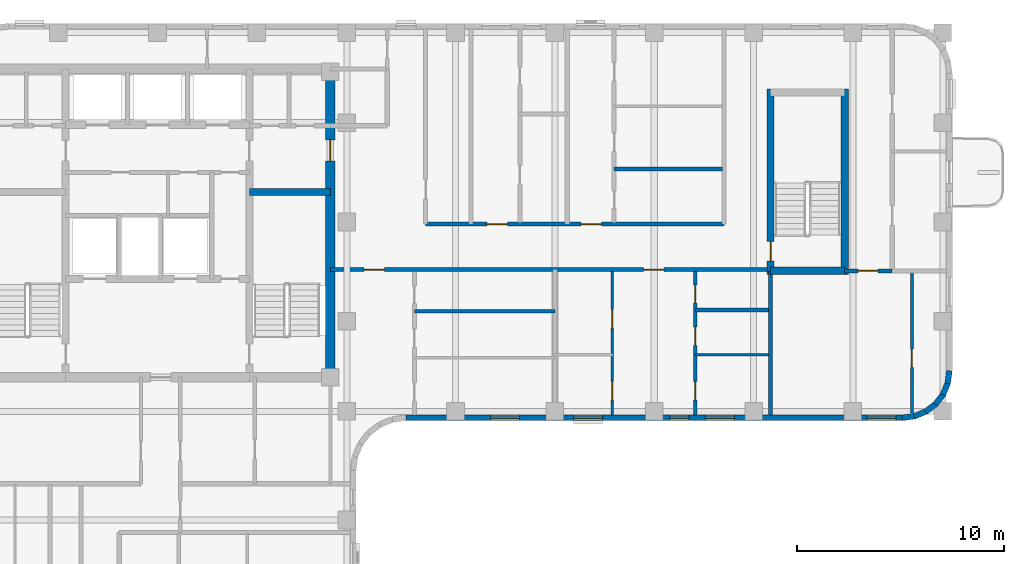
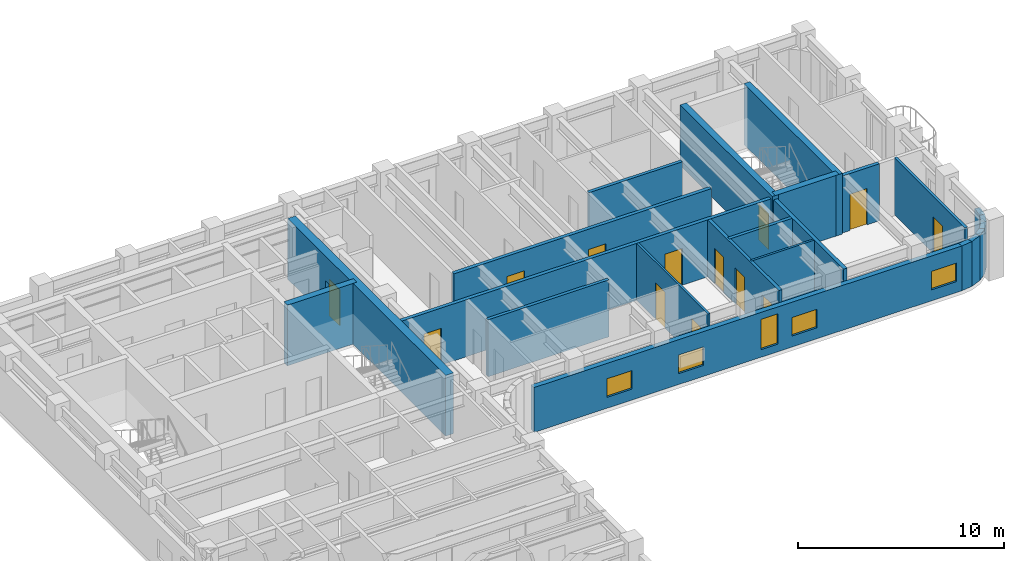
# One storey, part 5 of 10: 23 walls, 13 doors, 5 windows, 18 openings.
"""IFC4 building model written with IfcOpenShell, lengths in metres."""

from ifc_helpers import new_model, si_unit, direction, frame, frame_2d, origin, place, context, subcontext, project, spatial, rectangle, extrude, material, layer, layer_set, type_object, element, fill, save


model = new_model("IFC4")

# Units and contexts
model_context = context("Model", 3, precision=1e-05, world=origin(), true_north=direction((0.0, 1.0)))
body_context = subcontext(model_context, "Body", "Model", "MODEL_VIEW")
ifc_project = project(units=[si_unit("LENGTHUNIT", "METRE"), si_unit("AREAUNIT", "SQUARE_METRE"), si_unit("VOLUMEUNIT", "CUBIC_METRE"), si_unit("PLANEANGLEUNIT", "RADIAN"), si_unit("MASSUNIT", "GRAM", prefix="KILO")], contexts=[model_context])

# Site, building, storey
site_placement = place(None, origin())
site = spatial("IfcSite", under=ifc_project, at=site_placement, CompositionType="ELEMENT")
building_placement = place(site_placement, origin())
building = spatial("IfcBuilding", under=site, at=building_placement, Name="Orvandelia Arch Residences", CompositionType="ELEMENT")
storey_placement = place(building_placement, frame((0.0, 0.0, 218.199951171875)))
storey = spatial("IfcBuildingStorey", under=building, at=storey_placement, Name="L57", CompositionType="ELEMENT", Elevation=218.199951171875)

# Wall
ifc_material_1 = material(Name="Concrete C50/60", Category="concrete")
ifc_layer_1 = layer(ifc_material_1, 0.35009765625, Name="Concrete C50/60", Category="concrete")
ifc_layer_set_1 = layer_set([ifc_layer_1], Name="Concrete C50/60")
wall_type_1 = type_object("IfcWallType", Name="WL-CORE-350", PredefinedType="SHEAR", material=ifc_layer_set_1)
wall_1_placement = place(storey_placement, frame((18.840087890625, 39.85009765625, 0.0), z_axis=(0.0, 0.0, 1.0), x_axis=(1.0, 0.0, 0.0)))
element("IfcWall", 1, at=wall_1_placement, inside=storey, type_object=wall_type_1, Name="Core Shear Wall L57-HZ2", PredefinedType="SHEAR", context=body_context, shape_type="SweptSolid", body=[
    extrude(rectangle(XDim=3.909912109375, YDim=0.35009765625, at=frame_2d((1.955078125, 0.0))), origin(), (0.0, 0.0, 1.0), 3.60009765625),
])

# Wall, opening, door
wall_2_placement = place(storey_placement, frame((44.02001953125, 35.864990234375, 0.0), z_axis=(0.0, 0.0, 1.0), x_axis=(0.0, 1.0, 0.0)))
wall_2 = element("IfcWall", 2, at=wall_2_placement, inside=storey, type_object=wall_type_1, Name="East Stair Core Shear Wall L57-W", PredefinedType="SHEAR", context=body_context, shape_type="SweptSolid", body=[
    extrude(rectangle(XDim=8.969970703125, YDim=0.35009765625, at=frame_2d((4.48486328125, 0.0))), origin(), (0.0, 0.0, 1.0), 3.60009765625),
])
opening_1_placement = place(wall_2_placement, frame((0.64990234375, 0.0, 0.0)))
opening_1 = element("IfcOpeningElement", 3, at=opening_1_placement, cuts=wall_2, Name="Opening D7", PredefinedType="OPENING", context=body_context, shape_type="SweptSolid", body=[
    extrude(rectangle(XDim=0.949951171875, YDim=2.10009765625, at=frame_2d((0.47509765625, 1.050048828125))), frame((0.0, 0.18505859375, 0.0), z_axis=(0.0, -1.0, 0.0), x_axis=(1.0, 0.0, 0.0)), (0.0, 0.0, 1.0), 0.3701171875),
])
ifc_material_2 = material(Name="Pressurised Stairwell Fire Door")
door_type_1 = type_object("IfcDoorType", Name="DR-STAIR-950", OperationType="NOTDEFINED", PredefinedType="DOOR", material=ifc_material_2)
door_1_placement = place(opening_1_placement, origin())
door_1 = element("IfcDoor", 4, at=door_1_placement, inside=storey, type_object=door_type_1, Name="East Stairwell ST-3 Fire Door L57", OperationType="SINGLE_SWING_LEFT", OverallHeight=2.10009765625, OverallWidth=0.949951171875, PredefinedType="DOOR", context=body_context, shape_type="SweptSolid", body=[
    extrude(rectangle(XDim=0.949951171875, YDim=2.10009765625, at=frame_2d((0.47509765625, 1.050048828125))), frame((0.0, 0.02490234375, 0.0), z_axis=(0.0, -1.0, 0.0), x_axis=(1.0, 0.0, 0.0)), (0.0, 0.0, 1.0), 0.050048828125),
])
fill(opening_1, door_1)

# Walls
wall_3_placement = place(storey_placement, frame((47.60009765625, 35.864990234375, 0.0), z_axis=(0.0, 0.0, 1.0), x_axis=(0.0, 1.0, 0.0)))
element("IfcWall", 5, at=wall_3_placement, inside=storey, type_object=wall_type_1, Name="East Stair Core Shear Wall L57-E", PredefinedType="SHEAR", context=body_context, shape_type="SweptSolid", body=[
    extrude(rectangle(XDim=8.969970703125, YDim=0.35009765625, at=frame_2d((4.48486328125, 0.0))), origin(), (0.0, 0.0, 1.0), 3.60009765625),
])
wall_4_placement = place(storey_placement, frame((44.02001953125, 36.0400390625, 0.0), z_axis=(0.0, 0.0, 1.0), x_axis=(1.0, 0.0, 0.0)))
element("IfcWall", 6, at=wall_4_placement, inside=storey, type_object=wall_type_1, Name="East Stair Core Shear Wall L57-S", PredefinedType="SHEAR", context=body_context, shape_type="SweptSolid", body=[
    extrude(rectangle(XDim=3.580078125, YDim=0.35009765625, at=frame_2d((1.7900390625, 0.0))), origin(), (0.0, 0.0, 1.0), 3.60009765625),
])

# Wall, opening, door
ifc_layer_2 = layer(ifc_material_1, 0.449951171875, Name="Concrete C50/60", Category="concrete")
ifc_layer_set_2 = layer_set([ifc_layer_2], Name="Concrete C50/60")
wall_type_2 = type_object("IfcWallType", Name="WL-CORE-450", PredefinedType="SHEAR", material=ifc_layer_set_2)
wall_5_placement = place(storey_placement, frame((22.75, 30.675048828125, 0.0), z_axis=(0.0, 0.0, 1.0), x_axis=(0.0, 1.0, 0.0)))
wall_5 = element("IfcWall", 7, at=wall_5_placement, inside=storey, type_object=wall_type_2, Name="Core Shear Wall L57-E", PredefinedType="SHEAR", context=body_context, shape_type="SweptSolid", body=[
    extrude(rectangle(XDim=15.349853515625, YDim=0.449951171875, at=frame_2d((7.6748046875, 0.0))), origin(), (0.0, 0.0, 1.0), 3.60009765625),
])
opening_2_placement = place(wall_5_placement, frame((10.675048828125, 0.0, 0.0)))
opening_2 = element("IfcOpeningElement", 8, at=opening_2_placement, cuts=wall_5, Name="Opening D6", PredefinedType="OPENING", context=body_context, shape_type="SweptSolid", body=[
    extrude(rectangle(XDim=1.0, YDim=2.14990234375, at=frame_2d((0.5, 1.074951171875))), frame((0.0, 0.23486328125, 0.0), z_axis=(0.0, -1.0, 0.0), x_axis=(1.0, 0.0, 0.0)), (0.0, 0.0, 1.0), 0.469970703125),
])
ifc_material_3 = material(Name="Smokeproof Painted Steel Fire Door", Category="steel")
door_type_2 = type_object("IfcDoorType", Name="DR-FD60-1000", OperationType="NOTDEFINED", PredefinedType="DOOR", material=ifc_material_3)
door_2_placement = place(opening_2_placement, origin())
door_2 = element("IfcDoor", 9, at=door_2_placement, inside=storey, type_object=door_type_2, Name="Core East Corridor Link Door L57", OperationType="SINGLE_SWING_LEFT", OverallHeight=2.14990234375, OverallWidth=1.0, PredefinedType="DOOR", context=body_context, shape_type="SweptSolid", body=[
    extrude(rectangle(XDim=1.0, YDim=2.14990234375, at=frame_2d((0.5, 1.074951171875))), frame((0.0, 0.02490234375, 0.0), z_axis=(0.0, -1.0, 0.0), x_axis=(1.0, 0.0, 0.0)), (0.0, 0.0, 1.0), 0.050048828125),
])
fill(opening_2, door_2)

# Wall, openings, doors
ifc_material_4 = material(Name="Fire-Rated Corridor Partition")
ifc_layer_3 = layer(ifc_material_4, 0.199951171875, Name="Fire-Rated Corridor Partition")
ifc_layer_set_3 = layer_set([ifc_layer_3], Name="Fire-Rated Corridor Partition")
wall_type_3 = type_object("IfcWallType", Name="WL-CORR-200", PredefinedType="PARTITIONING", material=ifc_layer_set_3)
wall_6_placement = place(storey_placement, frame((22.75, 36.10009765625, 0.0), z_axis=(0.0, 0.0, 1.0), x_axis=(1.0, 0.0, 0.0)))
wall_6 = element("IfcWall", 10, at=wall_6_placement, inside=storey, type_object=wall_type_3, Name="Interior Partition Wall WL-L57-EM-S1", PredefinedType="PARTITIONING", context=body_context, shape_type="SweptSolid", body=[
    extrude(rectangle(XDim=21.27001953125, YDim=0.199951171875, at=frame_2d((10.635009765625, 0.0))), origin(), (0.0, 0.0, 1.0), 3.380126953125),
])
opening_3_placement = place(wall_6_placement, frame((1.631591796875, 0.0, 0.0)))
opening_3 = element("IfcOpeningElement", 11, at=opening_3_placement, cuts=wall_6, Name="Opening D1", PredefinedType="OPENING", context=body_context, shape_type="SweptSolid", body=[
    extrude(rectangle(XDim=0.97998046875, YDim=2.179931640625, at=frame_2d((0.489990234375, 1.08984375))), frame((0.0, 0.10986328125, 0.0), z_axis=(0.0, -1.0, 0.0), x_axis=(1.0, 0.0, 0.0)), (0.0, 0.0, 1.0), 0.219970703125),
])
opening_4_placement = place(wall_6_placement, frame((15.140380859375, 0.0, 0.0)))
opening_4 = element("IfcOpeningElement", 12, at=opening_4_placement, cuts=wall_6, Name="Opening D1", PredefinedType="OPENING", context=body_context, shape_type="SweptSolid", body=[
    extrude(rectangle(XDim=0.97998046875, YDim=2.179931640625, at=frame_2d((0.489990234375, 1.08984375))), frame((0.0, 0.10986328125, 0.0), z_axis=(0.0, -1.0, 0.0), x_axis=(1.0, 0.0, 0.0)), (0.0, 0.0, 1.0), 0.219970703125),
])
ifc_material_5 = material(Name="Solid-Core Timber Acoustic Fire Door", Category="wood")
door_type_3 = type_object("IfcDoorType", Name="DR-ENT-980", OperationType="NOTDEFINED", PredefinedType="DOOR", material=ifc_material_5)
door_3_placement = place(opening_3_placement, origin())
door_3 = element("IfcDoor", 13, at=door_3_placement, inside=storey, type_object=door_type_3, Name="Unit L57-05 Entrance Door", OperationType="SINGLE_SWING_LEFT", OverallHeight=2.179931640625, OverallWidth=0.97998046875, PredefinedType="DOOR", context=body_context, shape_type="SweptSolid", body=[
    extrude(rectangle(XDim=0.97998046875, YDim=2.179931640625, at=frame_2d((0.489990234375, 1.08984375))), frame((0.0, 0.02490234375, 0.0), z_axis=(0.0, -1.0, 0.0), x_axis=(1.0, 0.0, 0.0)), (0.0, 0.0, 1.0), 0.050048828125),
])
fill(opening_3, door_3)
door_4_placement = place(opening_4_placement, origin())
door_4 = element("IfcDoor", 14, at=door_4_placement, inside=storey, type_object=door_type_3, Name="Unit L57-06 Entrance Door", OperationType="SINGLE_SWING_RIGHT", OverallHeight=2.179931640625, OverallWidth=0.97998046875, PredefinedType="DOOR", context=body_context, shape_type="SweptSolid", body=[
    extrude(rectangle(XDim=0.97998046875, YDim=2.179931640625, at=frame_2d((0.489990234375, 1.08984375))), frame((0.0, 0.02490234375, 0.0), z_axis=(0.0, -1.0, 0.0), x_axis=(1.0, 0.0, 0.0)), (0.0, 0.0, 1.0), 0.050048828125),
])
fill(opening_4, door_4)

wall_7_placement = place(storey_placement, frame((27.35009765625, 38.300048828125, 0.0), z_axis=(0.0, 0.0, 1.0), x_axis=(1.0, 0.0, 0.0)))
wall_7 = element("IfcWall", 15, at=wall_7_placement, inside=storey, type_object=wall_type_3, Name="Interior Partition Wall WL-L57-EM-N", PredefinedType="PARTITIONING", context=body_context, shape_type="SweptSolid", body=[
    extrude(rectangle(XDim=14.429931640625, YDim=0.199951171875, at=frame_2d((7.21484375, 0.0))), origin(), (0.0, 0.0, 1.0), 3.380126953125),
])
opening_5_placement = place(wall_7_placement, frame((2.969970703125, 0.0, 0.0)))
opening_5 = element("IfcOpeningElement", 16, at=opening_5_placement, cuts=wall_7, Name="Opening D1", PredefinedType="OPENING", context=body_context, shape_type="SweptSolid", body=[
    extrude(rectangle(XDim=0.97998046875, YDim=2.179931640625, at=frame_2d((0.489990234375, 1.08984375))), frame((0.0, 0.10986328125, 0.0), z_axis=(0.0, -1.0, 0.0), x_axis=(1.0, 0.0, 0.0)), (0.0, 0.0, 1.0), 0.219970703125),
])
opening_6_placement = place(wall_7_placement, frame((7.52001953125, 0.0, 0.0)))
opening_6 = element("IfcOpeningElement", 17, at=opening_6_placement, cuts=wall_7, Name="Opening D1", PredefinedType="OPENING", context=body_context, shape_type="SweptSolid", body=[
    extrude(rectangle(XDim=0.97998046875, YDim=2.179931640625, at=frame_2d((0.489990234375, 1.08984375))), frame((0.0, 0.10986328125, 0.0), z_axis=(0.0, -1.0, 0.0), x_axis=(1.0, 0.0, 0.0)), (0.0, 0.0, 1.0), 0.219970703125),
])
door_5_placement = place(opening_5_placement, origin())
door_5 = element("IfcDoor", 18, at=door_5_placement, inside=storey, type_object=door_type_3, Name="Unit L57-07 Entrance Door", OperationType="SINGLE_SWING_LEFT", OverallHeight=2.179931640625, OverallWidth=0.97998046875, PredefinedType="DOOR", context=body_context, shape_type="SweptSolid", body=[
    extrude(rectangle(XDim=0.97998046875, YDim=2.179931640625, at=frame_2d((0.489990234375, 1.08984375))), frame((0.0, 0.02490234375, 0.0), z_axis=(0.0, -1.0, 0.0), x_axis=(1.0, 0.0, 0.0)), (0.0, 0.0, 1.0), 0.050048828125),
])
fill(opening_5, door_5)
door_6_placement = place(opening_6_placement, origin())
door_6 = element("IfcDoor", 19, at=door_6_placement, inside=storey, type_object=door_type_3, Name="Unit L57-08 Entrance Door", OperationType="SINGLE_SWING_RIGHT", OverallHeight=2.179931640625, OverallWidth=0.97998046875, PredefinedType="DOOR", context=body_context, shape_type="SweptSolid", body=[
    extrude(rectangle(XDim=0.97998046875, YDim=2.179931640625, at=frame_2d((0.489990234375, 1.08984375))), frame((0.0, 0.02490234375, 0.0), z_axis=(0.0, -1.0, 0.0), x_axis=(1.0, 0.0, 0.0)), (0.0, 0.0, 1.0), 0.050048828125),
])
fill(opening_6, door_6)

# Wall, opening, door
wall_8_placement = place(storey_placement, frame((47.60009765625, 36.0400390625, 0.0), z_axis=(0.0, 0.0, 1.0), x_axis=(1.0, 0.0, 0.0)))
wall_8 = element("IfcWall", 20, at=wall_8_placement, inside=storey, type_object=wall_type_3, Name="Interior Partition Wall WL-L57-ETE-S", PredefinedType="PARTITIONING", context=body_context, shape_type="SweptSolid", body=[
    extrude(rectangle(XDim=2.2998046875, YDim=0.199951171875, at=frame_2d((1.14990234375, 0.0))), origin(), (0.0, 0.0, 1.0), 3.380126953125),
])
opening_7_placement = place(wall_8_placement, frame((0.64990234375, 0.0, 0.0)))
opening_7 = element("IfcOpeningElement", 21, at=opening_7_placement, cuts=wall_8, Name="Opening D2", PredefinedType="OPENING", context=body_context, shape_type="SweptSolid", body=[
    extrude(rectangle(XDim=0.949951171875, YDim=2.14990234375, at=frame_2d((0.47509765625, 1.074951171875))), frame((0.0, 0.10986328125, 0.0), z_axis=(0.0, -1.0, 0.0), x_axis=(1.0, 0.0, 0.0)), (0.0, 0.0, 1.0), 0.219970703125),
])
ifc_material_6 = material(Name="Solid-Core Timber Interior Fire Door", Category="wood")
door_type_4 = type_object("IfcDoorType", Name="DR-APT-950", OperationType="NOTDEFINED", PredefinedType="DOOR", material=ifc_material_6)
door_7_placement = place(opening_7_placement, origin())
door_7 = element("IfcDoor", 22, at=door_7_placement, inside=storey, type_object=door_type_4, Name="DR-L57-EMS3", OperationType="SINGLE_SWING_LEFT", OverallHeight=2.14990234375, OverallWidth=0.949951171875, PredefinedType="DOOR", context=body_context, shape_type="SweptSolid", body=[
    extrude(rectangle(XDim=0.949951171875, YDim=2.14990234375, at=frame_2d((0.47509765625, 1.074951171875))), frame((0.0, 0.02490234375, 0.0), z_axis=(0.0, -1.0, 0.0), x_axis=(1.0, 0.0, 0.0)), (0.0, 0.0, 1.0), 0.050048828125),
])
fill(opening_7, door_7)

# Walls
ifc_material_7 = material(Name="Concrete C40/50", Category="concrete")
ifc_layer_4 = layer(ifc_material_7, 0.199951171875, Name="Concrete C40/50", Category="concrete")
ifc_layer_set_4 = layer_set([ifc_layer_4], Name="Concrete C40/50")
wall_type_4 = type_object("IfcWallType", Name="WL-DEM-200", PredefinedType="SOLIDWALL", material=ifc_layer_set_4)
wall_9_placement = place(storey_placement, frame((44.02001953125, 29.080078125, 0.0), z_axis=(0.0, 0.0, 1.0), x_axis=(0.0, 1.0, 0.0)))
element("IfcWall", 23, at=wall_9_placement, inside=storey, type_object=wall_type_4, Name="Interior Partition Wall WL-L57-EMS3-W", PredefinedType="SOLIDWALL", context=body_context, shape_type="SweptSolid", body=[
    extrude(rectangle(XDim=6.9599609375, YDim=0.199951171875, at=frame_2d((3.47998046875, 0.0))), origin(), (0.0, 0.0, 1.0), 3.380126953125),
])
ifc_material_8 = material(Name="Precast concrete C40/50", Category="concrete")
ifc_layer_5 = layer(ifc_material_8, 0.280029296875, Name="Precast concrete C40/50", Category="concrete")
ifc_layer_set_5 = layer_set([ifc_layer_5], Name="Precast concrete C40/50")
wall_type_5 = type_object("IfcWallType", Name="WL-EXT-STONE-280", PredefinedType="STANDARD", material=ifc_layer_set_5)
wall_10_placement = place(storey_placement, frame((52.6611328125, 31.21826171875, 0.0), z_axis=(0.0, 0.0, 1.0), x_axis=(-0.130555323746, -0.9914410257, 0.0)))
element("IfcWall", 24, at=wall_10_placement, inside=storey, type_object=wall_type_5, Name="Coral-Limestone Precast Facade Wall L57-015", PredefinedType="STANDARD", context=body_context, shape_type="SweptSolid", body=[
    extrude(rectangle(XDim=0.62646484375, YDim=0.280029296875, at=frame_2d((0.313232421875, 0.0))), origin(), (0.0, 0.0, 1.0), 2.66015625),
])
wall_11_placement = place(storey_placement, frame((52.5888671875, 30.63232421875, 0.0), z_axis=(0.0, 0.0, 1.0), x_axis=(-0.382787856107, -0.923836271867, 0.0)))
element("IfcWall", 25, at=wall_11_placement, inside=storey, type_object=wall_type_5, Name="Coral-Limestone Precast Facade Wall L57-016", PredefinedType="STANDARD", context=body_context, shape_type="SweptSolid", body=[
    extrude(rectangle(XDim=0.626220703125, YDim=0.280029296875, at=frame_2d((0.31298828125, 0.0))), origin(), (0.0, 0.0, 1.0), 2.66015625),
])
for number, where, z_axis, x_axis, name in (
    (26, (52.367431640625, 30.085205078125, 0.0), (0.0, 0.0, 1.0), (-0.608693302629, -0.793405610854, 0.0), "Coral-Limestone Precast Facade Wall L57-017"),
    (27, (52.011962890625, 29.614013671875, 0.0), (0.0, 0.0, 1.0), (-0.793405610854, -0.608693302629, 0.0), "Coral-Limestone Precast Facade Wall L57-018"),
    (28, (51.54638671875, 29.250732421875, 0.0), (0.0, 0.0, 1.0), (-0.92389335771, -0.382650053678, 0.0), "Coral-Limestone Precast Facade Wall L57-019"),
):
    element("IfcWall", number, at=place(storey_placement, frame(where, z_axis=z_axis, x_axis=x_axis)), inside=storey, type_object=wall_type_5, Name=name, PredefinedType="STANDARD", context=body_context, shape_type="SweptSolid", body=[
        extrude(rectangle(XDim=0.62646484375, YDim=0.280029296875, at=frame_2d((0.313232421875, 0.0))), origin(), (0.0, 0.0, 1.0), 2.66015625),
    ])
wall_12_placement = place(storey_placement, frame((51.0029296875, 29.0205078125, 0.0), z_axis=(0.0, 0.0, 1.0), x_axis=(-0.991447664465, -0.130504898859, 0.0)))
element("IfcWall", 29, at=wall_12_placement, inside=storey, type_object=wall_type_5, Name="Coral-Limestone Precast Facade Wall L57-020", PredefinedType="STANDARD", context=body_context, shape_type="SweptSolid", body=[
    extrude(rectangle(XDim=0.626708984375, YDim=0.280029296875, at=frame_2d((0.3134765625, 0.0))), origin(), (0.0, 0.0, 1.0), 2.66015625),
])

# Wall, openings, windows
wall_13_placement = place(storey_placement, frame((50.39990234375, 28.93994140625, 0.0), z_axis=(0.0, 0.0, 1.0), x_axis=(-1.0, 0.0, 0.0)))
wall_13 = element("IfcWall", 30, at=wall_13_placement, inside=storey, type_object=wall_type_5, Name="Coral-Limestone Precast Facade Wall L57-021", PredefinedType="STANDARD", context=body_context, shape_type="SweptSolid", body=[
    extrude(rectangle(XDim=24.0, YDim=0.280029296875, at=frame_2d((12.0, 0.0))), origin(), (0.0, 0.0, 1.0), 2.66015625),
])
opening_8_placement = place(wall_13_placement, frame((18.5, 0.0, 0.64990234375)))
opening_8 = element("IfcOpeningElement", 31, at=opening_8_placement, cuts=wall_13, Name="Opening W10", PredefinedType="OPENING", context=body_context, shape_type="SweptSolid", body=[
    extrude(rectangle(XDim=1.39990234375, YDim=1.10009765625, at=frame_2d((0.699951171875, 0.550048828125))), frame((0.0, 0.14990234375, 0.0), z_axis=(0.0, -1.0, 0.0), x_axis=(1.0, 0.0, 0.0)), (0.0, 0.0, 1.0), 0.300048828125),
])
opening_9_placement = place(wall_13_placement, frame((8.12939453125, 0.0, 0.64990234375)))
opening_9 = element("IfcOpeningElement", 32, at=opening_9_placement, cuts=wall_13, Name="Opening W10", PredefinedType="OPENING", context=body_context, shape_type="SweptSolid", body=[
    extrude(rectangle(XDim=1.39990234375, YDim=1.10009765625, at=frame_2d((0.699951171875, 0.550048828125))), frame((0.0, 0.14990234375, 0.0), z_axis=(0.0, -1.0, 0.0), x_axis=(1.0, 0.0, 0.0)), (0.0, 0.0, 1.0), 0.300048828125),
])
opening_10_placement = place(wall_13_placement, frame((14.489990234375, 0.0, 0.64990234375)))
opening_10 = element("IfcOpeningElement", 33, at=opening_10_placement, cuts=wall_13, Name="Opening W10", PredefinedType="OPENING", context=body_context, shape_type="SweptSolid", body=[
    extrude(rectangle(XDim=1.39990234375, YDim=1.10009765625, at=frame_2d((0.699951171875, 0.550048828125))), frame((0.0, 0.14990234375, 0.0), z_axis=(0.0, -1.0, 0.0), x_axis=(1.0, 0.0, 0.0)), (0.0, 0.0, 1.0), 0.300048828125),
])
opening_11_placement = place(wall_13_placement, frame((0.3076171875, 0.0, 0.64990234375)))
opening_11 = element("IfcOpeningElement", 34, at=opening_11_placement, cuts=wall_13, Name="Opening W10", PredefinedType="OPENING", context=body_context, shape_type="SweptSolid", body=[
    extrude(rectangle(XDim=1.39990234375, YDim=1.10009765625, at=frame_2d((0.699951171875, 0.550048828125))), frame((0.0, 0.14990234375, 0.0), z_axis=(0.0, -1.0, 0.0), x_axis=(1.0, 0.0, 0.0)), (0.0, 0.0, 1.0), 0.300048828125),
])
opening_12_placement = place(wall_13_placement, frame((10.3095703125, 0.0, 0.449951171875)))
opening_12 = element("IfcOpeningElement", 35, at=opening_12_placement, cuts=wall_13, Name="Opening W4", PredefinedType="OPENING", context=body_context, shape_type="SweptSolid", body=[
    extrude(rectangle(XDim=0.949951171875, YDim=1.800048828125, at=frame_2d((0.47509765625, 0.89990234375))), frame((0.0, 0.14990234375, 0.0), z_axis=(0.0, -1.0, 0.0), x_axis=(1.0, 0.0, 0.0)), (0.0, 0.0, 1.0), 0.300048828125),
])
ifc_material_9 = material(Name="Tempered Low-E Insulated Glazing", Category="glass")
window_type_1 = type_object("IfcWindowType", Name="WIN-CLR-1400x1100", PartitioningType="SINGLE_PANEL", PredefinedType="WINDOW", material=ifc_material_9)
window_1_placement = place(opening_8_placement, origin())
window_1 = element("IfcWindow", 36, at=window_1_placement, inside=storey, type_object=window_type_1, Name="Recessed Punched Window L57-013", OverallHeight=1.10009765625, OverallWidth=1.39990234375, PartitioningType="SINGLE_PANEL", PredefinedType="WINDOW", context=body_context, shape_type="SweptSolid", body=[
    extrude(rectangle(XDim=1.39990234375, YDim=1.10009765625, at=frame_2d((0.699951171875, 0.550048828125))), frame((0.0, 0.030029296875, 0.0), z_axis=(0.0, -1.0, 0.0), x_axis=(1.0, 0.0, 0.0)), (0.0, 0.0, 1.0), 0.06005859375),
])
fill(opening_8, window_1)
window_2_placement = place(opening_9_placement, origin())
window_2 = element("IfcWindow", 37, at=window_2_placement, inside=storey, type_object=window_type_1, Name="Recessed Punched Window L57-014", OverallHeight=1.10009765625, OverallWidth=1.39990234375, PartitioningType="SINGLE_PANEL", PredefinedType="WINDOW", context=body_context, shape_type="SweptSolid", body=[
    extrude(rectangle(XDim=1.39990234375, YDim=1.10009765625, at=frame_2d((0.699951171875, 0.550048828125))), frame((0.0, 0.030029296875, 0.0), z_axis=(0.0, -1.0, 0.0), x_axis=(1.0, 0.0, 0.0)), (0.0, 0.0, 1.0), 0.06005859375),
])
fill(opening_9, window_2)
window_3_placement = place(opening_10_placement, origin())
window_3 = element("IfcWindow", 38, at=window_3_placement, inside=storey, type_object=window_type_1, Name="Recessed Punched Window L57-015", OverallHeight=1.10009765625, OverallWidth=1.39990234375, PartitioningType="SINGLE_PANEL", PredefinedType="WINDOW", context=body_context, shape_type="SweptSolid", body=[
    extrude(rectangle(XDim=1.39990234375, YDim=1.10009765625, at=frame_2d((0.699951171875, 0.550048828125))), frame((0.0, 0.030029296875, 0.0), z_axis=(0.0, -1.0, 0.0), x_axis=(1.0, 0.0, 0.0)), (0.0, 0.0, 1.0), 0.06005859375),
])
fill(opening_10, window_3)
window_4_placement = place(opening_11_placement, origin())
window_4 = element("IfcWindow", 39, at=window_4_placement, inside=storey, type_object=window_type_1, Name="Recessed Punched Window L57-016", OverallHeight=1.10009765625, OverallWidth=1.39990234375, PartitioningType="SINGLE_PANEL", PredefinedType="WINDOW", context=body_context, shape_type="SweptSolid", body=[
    extrude(rectangle(XDim=1.39990234375, YDim=1.10009765625, at=frame_2d((0.699951171875, 0.550048828125))), frame((0.0, 0.030029296875, 0.0), z_axis=(0.0, -1.0, 0.0), x_axis=(1.0, 0.0, 0.0)), (0.0, 0.0, 1.0), 0.06005859375),
])
fill(opening_11, window_4)
window_type_2 = type_object("IfcWindowType", Name="WIN-RES-0950x1800", PartitioningType="SINGLE_PANEL", PredefinedType="WINDOW", material=ifc_material_9)
window_5_placement = place(opening_12_placement, origin())
window_5 = element("IfcWindow", 40, at=window_5_placement, inside=storey, type_object=window_type_2, Name="Recessed Punched Window L57-017", OverallHeight=1.800048828125, OverallWidth=0.949951171875, PartitioningType="SINGLE_PANEL", PredefinedType="WINDOW", context=body_context, shape_type="SweptSolid", body=[
    extrude(rectangle(XDim=0.949951171875, YDim=1.800048828125, at=frame_2d((0.47509765625, 0.89990234375))), frame((0.0, 0.030029296875, 0.0), z_axis=(0.0, -1.0, 0.0), x_axis=(1.0, 0.0, 0.0)), (0.0, 0.0, 1.0), 0.06005859375),
])
fill(opening_12, window_5)

# Wall, openings, doors
ifc_material_10 = material(Name="Lightweight Gypsum Stud Partition")
ifc_layer_6 = layer(ifc_material_10, 0.1201171875, Name="Lightweight Gypsum Stud Partition")
ifc_layer_set_6 = layer_set([ifc_layer_6], Name="Lightweight Gypsum Stud Partition")
wall_type_6 = type_object("IfcWallType", Name="WL-PART-120", PredefinedType="PARTITIONING", material=ifc_layer_set_6)
wall_14_placement = place(storey_placement, frame((36.375, 29.080078125, 0.0), z_axis=(0.0, 0.0, 1.0), x_axis=(0.0, 1.0, 0.0)))
wall_14 = element("IfcWall", 41, at=wall_14_placement, inside=storey, type_object=wall_type_6, Name="Interior Partition Wall WL-L57-U06-VB", PredefinedType="PARTITIONING", context=body_context, shape_type="SweptSolid", body=[
    extrude(rectangle(XDim=6.919921875, YDim=0.1201171875, at=frame_2d((3.4599609375, 0.0))), origin(), (0.0, 0.0, 1.0), 3.380126953125),
])
opening_13_placement = place(wall_14_placement, frame((0.71923828125, 0.0, 0.0)))
opening_13 = element("IfcOpeningElement", 42, at=opening_13_placement, cuts=wall_14, Name="Opening D3", PredefinedType="OPENING", context=body_context, shape_type="SweptSolid", body=[
    extrude(rectangle(XDim=0.89990234375, YDim=2.14990234375, at=frame_2d((0.449951171875, 1.074951171875))), frame((0.0, 0.070068359375, 0.0), z_axis=(0.0, -1.0, 0.0), x_axis=(1.0, 0.0, 0.0)), (0.0, 0.0, 1.0), 0.14013671875),
])
opening_14_placement = place(wall_14_placement, frame((4.188720703125, 0.0, 0.0)))
opening_14 = element("IfcOpeningElement", 43, at=opening_14_placement, cuts=wall_14, Name="Opening D3", PredefinedType="OPENING", context=body_context, shape_type="SweptSolid", body=[
    extrude(rectangle(XDim=0.89990234375, YDim=2.14990234375, at=frame_2d((0.449951171875, 1.074951171875))), frame((0.0, 0.070068359375, 0.0), z_axis=(0.0, -1.0, 0.0), x_axis=(1.0, 0.0, 0.0)), (0.0, 0.0, 1.0), 0.14013671875),
])
ifc_material_11 = material(Name="Engineered Timber Flush Door", Category="wood")
door_type_5 = type_object("IfcDoorType", Name="DR-INT-900", OperationType="NOTDEFINED", PredefinedType="DOOR", material=ifc_material_11)
door_8_placement = place(opening_13_placement, origin())
door_8 = element("IfcDoor", 44, at=door_8_placement, inside=storey, type_object=door_type_5, Name="DR-L57-U06-BD2", OperationType="SINGLE_SWING_LEFT", OverallHeight=2.14990234375, OverallWidth=0.89990234375, PredefinedType="DOOR", context=body_context, shape_type="SweptSolid", body=[
    extrude(rectangle(XDim=0.89990234375, YDim=2.14990234375, at=frame_2d((0.449951171875, 1.074951171875))), frame((0.0, 0.02490234375, 0.0), z_axis=(0.0, -1.0, 0.0), x_axis=(1.0, 0.0, 0.0)), (0.0, 0.0, 1.0), 0.050048828125),
])
fill(opening_13, door_8)
door_9_placement = place(opening_14_placement, origin())
door_9 = element("IfcDoor", 45, at=door_9_placement, inside=storey, type_object=door_type_5, Name="DR-L57-U06-STDY", OperationType="SINGLE_SWING_RIGHT", OverallHeight=2.14990234375, OverallWidth=0.89990234375, PredefinedType="DOOR", context=body_context, shape_type="SweptSolid", body=[
    extrude(rectangle(XDim=0.89990234375, YDim=2.14990234375, at=frame_2d((0.449951171875, 1.074951171875))), frame((0.0, 0.02490234375, 0.0), z_axis=(0.0, -1.0, 0.0), x_axis=(1.0, 0.0, 0.0)), (0.0, 0.0, 1.0), 0.050048828125),
])
fill(opening_14, door_9)

# Wall
wall_15_placement = place(storey_placement, frame((40.385986328125, 31.97509765625, 0.0), z_axis=(0.0, 0.0, 1.0), x_axis=(1.0, 0.0, 0.0)))
element("IfcWall", 46, at=wall_15_placement, inside=storey, type_object=wall_type_6, Name="Interior Partition Wall WL-L57-U06-H1", PredefinedType="PARTITIONING", context=body_context, shape_type="SweptSolid", body=[
    extrude(rectangle(XDim=3.533935546875, YDim=0.1201171875, at=frame_2d((1.76708984375, 0.0))), origin(), (0.0, 0.0, 1.0), 3.380126953125),
])

# Wall, opening, door
ifc_material_12 = material(Name="Acoustic Gypsum Stud Partition")
ifc_layer_7 = layer(ifc_material_12, 0.14990234375, Name="Acoustic Gypsum Stud Partition")
ifc_layer_set_7 = layer_set([ifc_layer_7], Name="Acoustic Gypsum Stud Partition")
wall_type_7 = type_object("IfcWallType", Name="WL-PART-150", PredefinedType="PARTITIONING", material=ifc_layer_set_7)
wall_16_placement = place(storey_placement, frame((50.85009765625, 29.159912109375, 0.0), z_axis=(0.0, 0.0, 1.0), x_axis=(0.0, 1.0, 0.0)))
wall_16 = element("IfcWall", 47, at=wall_16_placement, inside=storey, type_object=wall_type_7, Name="Interior Partition Wall WL-L57-EMS3-M", PredefinedType="PARTITIONING", context=body_context, shape_type="SweptSolid", body=[
    extrude(rectangle(XDim=6.880126953125, YDim=0.14990234375, at=frame_2d((3.43994140625, 0.0))), origin(), (0.0, 0.0, 1.0), 3.380126953125),
])
opening_15_placement = place(wall_16_placement, frame((2.199951171875, 0.0, 0.0)))
opening_15 = element("IfcOpeningElement", 48, at=opening_15_placement, cuts=wall_16, Name="Opening D3", PredefinedType="OPENING", context=body_context, shape_type="SweptSolid", body=[
    extrude(rectangle(XDim=0.89990234375, YDim=2.14990234375, at=frame_2d((0.449951171875, 1.074951171875))), frame((0.0, 0.0849609375, 0.0), z_axis=(0.0, -1.0, 0.0), x_axis=(1.0, 0.0, 0.0)), (0.0, 0.0, 1.0), 0.169921875),
])
door_10_placement = place(opening_15_placement, origin())
door_10 = element("IfcDoor", 49, at=door_10_placement, inside=storey, type_object=door_type_5, Name="DR-L57-EMS3M", OperationType="SINGLE_SWING_RIGHT", OverallHeight=2.14990234375, OverallWidth=0.89990234375, PredefinedType="DOOR", context=body_context, shape_type="SweptSolid", body=[
    extrude(rectangle(XDim=0.89990234375, YDim=2.14990234375, at=frame_2d((0.449951171875, 1.074951171875))), frame((0.0, 0.02490234375, 0.0), z_axis=(0.0, -1.0, 0.0), x_axis=(1.0, 0.0, 0.0)), (0.0, 0.0, 1.0), 0.050048828125),
])
fill(opening_15, door_10)

# Wall
ifc_material_13 = material(Name="Moisture-Resistant Plumbing Wall")
ifc_layer_8 = layer(ifc_material_13, 0.179931640625, Name="Moisture-Resistant Plumbing Wall")
ifc_layer_set_8 = layer_set([ifc_layer_8], Name="Moisture-Resistant Plumbing Wall")
wall_type_8 = type_object("IfcWallType", Name="WL-WET-180", PredefinedType="PLUMBINGWALL", material=ifc_layer_set_8)
wall_17_placement = place(storey_placement, frame((26.81298828125, 34.0849609375, 0.0), z_axis=(0.0, 0.0, 1.0), x_axis=(1.0, 0.0, 0.0)))
element("IfcWall", 50, at=wall_17_placement, inside=storey, type_object=wall_type_8, Name="Interior Partition Wall WL-L57-U05-H2", PredefinedType="PLUMBINGWALL", context=body_context, shape_type="SweptSolid", body=[
    extrude(rectangle(XDim=6.787109375, YDim=0.179931640625, at=frame_2d((3.3935546875, 0.0))), origin(), (0.0, 0.0, 1.0), 3.380126953125),
])

# Wall, openings, doors
wall_18_placement = place(storey_placement, frame((40.385986328125, 29.080078125, 0.0), z_axis=(0.0, 0.0, 1.0), x_axis=(0.0, 1.0, 0.0)))
wall_18 = element("IfcWall", 51, at=wall_18_placement, inside=storey, type_object=wall_type_8, Name="Interior Partition Wall WL-L57-U06-VT", PredefinedType="PLUMBINGWALL", context=body_context, shape_type="SweptSolid", body=[
    extrude(rectangle(XDim=6.919921875, YDim=0.179931640625, at=frame_2d((3.4599609375, 0.0))), origin(), (0.0, 0.0, 1.0), 3.380126953125),
])
opening_16_placement = place(wall_18_placement, frame((0.71923828125, 0.0, 0.0)))
opening_16 = element("IfcOpeningElement", 52, at=opening_16_placement, cuts=wall_18, Name="Opening D3", PredefinedType="OPENING", context=body_context, shape_type="SweptSolid", body=[
    extrude(rectangle(XDim=0.89990234375, YDim=2.14990234375, at=frame_2d((0.449951171875, 1.074951171875))), frame((0.0, 0.10009765625, 0.0), z_axis=(0.0, -1.0, 0.0), x_axis=(1.0, 0.0, 0.0)), (0.0, 0.0, 1.0), 0.199951171875),
])
opening_17_placement = place(wall_18_placement, frame((3.35546875, 0.0, 0.0)))
opening_17 = element("IfcOpeningElement", 53, at=opening_17_placement, cuts=wall_18, Name="Opening D3", PredefinedType="OPENING", context=body_context, shape_type="SweptSolid", body=[
    extrude(rectangle(XDim=0.89990234375, YDim=2.14990234375, at=frame_2d((0.449951171875, 1.074951171875))), frame((0.0, 0.10009765625, 0.0), z_axis=(0.0, -1.0, 0.0), x_axis=(1.0, 0.0, 0.0)), (0.0, 0.0, 1.0), 0.199951171875),
])
opening_18_placement = place(wall_18_placement, frame((5.406494140625, 0.0, 0.0)))
opening_18 = element("IfcOpeningElement", 54, at=opening_18_placement, cuts=wall_18, Name="Opening D4", PredefinedType="OPENING", context=body_context, shape_type="SweptSolid", body=[
    extrude(rectangle(XDim=0.860107421875, YDim=2.10009765625, at=frame_2d((0.43017578125, 1.050048828125))), frame((0.0, 0.10009765625, 0.0), z_axis=(0.0, -1.0, 0.0), x_axis=(1.0, 0.0, 0.0)), (0.0, 0.0, 1.0), 0.199951171875),
])
door_11_placement = place(opening_16_placement, origin())
door_11 = element("IfcDoor", 55, at=door_11_placement, inside=storey, type_object=door_type_5, Name="DR-L57-U06-BD1", OperationType="SINGLE_SWING_RIGHT", OverallHeight=2.14990234375, OverallWidth=0.89990234375, PredefinedType="DOOR", context=body_context, shape_type="SweptSolid", body=[
    extrude(rectangle(XDim=0.89990234375, YDim=2.14990234375, at=frame_2d((0.449951171875, 1.074951171875))), frame((0.0, 0.02490234375, 0.0), z_axis=(0.0, -1.0, 0.0), x_axis=(1.0, 0.0, 0.0)), (0.0, 0.0, 1.0), 0.050048828125),
])
fill(opening_16, door_11)
door_12_placement = place(opening_17_placement, origin())
door_12 = element("IfcDoor", 56, at=door_12_placement, inside=storey, type_object=door_type_5, Name="DR-L57-U06-KIT", OperationType="SINGLE_SWING_LEFT", OverallHeight=2.14990234375, OverallWidth=0.89990234375, PredefinedType="DOOR", context=body_context, shape_type="SweptSolid", body=[
    extrude(rectangle(XDim=0.89990234375, YDim=2.14990234375, at=frame_2d((0.449951171875, 1.074951171875))), frame((0.0, 0.02490234375, 0.0), z_axis=(0.0, -1.0, 0.0), x_axis=(1.0, 0.0, 0.0)), (0.0, 0.0, 1.0), 0.050048828125),
])
fill(opening_17, door_12)
ifc_material_14 = material(Name="Moisture-Sealed Timber Bathroom Door", Category="wood")
door_type_6 = type_object("IfcDoorType", Name="DR-WET-900", OperationType="NOTDEFINED", PredefinedType="DOOR", material=ifc_material_14)
door_13_placement = place(opening_18_placement, origin())
door_13 = element("IfcDoor", 57, at=door_13_placement, inside=storey, type_object=door_type_6, Name="DR-L57-U06-BTH", OperationType="SINGLE_SWING_RIGHT", OverallHeight=2.10009765625, OverallWidth=0.860107421875, PredefinedType="DOOR", context=body_context, shape_type="SweptSolid", body=[
    extrude(rectangle(XDim=0.860107421875, YDim=2.10009765625, at=frame_2d((0.43017578125, 1.050048828125))), frame((0.0, 0.02490234375, 0.0), z_axis=(0.0, -1.0, 0.0), x_axis=(1.0, 0.0, 0.0)), (0.0, 0.0, 1.0), 0.050048828125),
])
fill(opening_18, door_13)

# Walls
wall_19_placement = place(storey_placement, frame((40.385986328125, 34.14794921875, 0.0), z_axis=(0.0, 0.0, 1.0), x_axis=(1.0, 0.0, 0.0)))
element("IfcWall", 58, at=wall_19_placement, inside=storey, type_object=wall_type_8, Name="Interior Partition Wall WL-L57-U06-H2", PredefinedType="PLUMBINGWALL", context=body_context, shape_type="SweptSolid", body=[
    extrude(rectangle(XDim=3.533935546875, YDim=0.179931640625, at=frame_2d((1.76708984375, 0.0))), origin(), (0.0, 0.0, 1.0), 3.380126953125),
])
wall_20_placement = place(storey_placement, frame((36.4599609375, 40.962890625, 0.0), z_axis=(0.0, 0.0, 1.0), x_axis=(1.0, 0.0, 0.0)))
element("IfcWall", 59, at=wall_20_placement, inside=storey, type_object=wall_type_8, Name="Interior Partition Wall WL-L57-U08-H1", PredefinedType="PLUMBINGWALL", context=body_context, shape_type="SweptSolid", body=[
    extrude(rectangle(XDim=5.239990234375, YDim=0.179931640625, at=frame_2d((2.6201171875, 0.0))), origin(), (0.0, 0.0, 1.0), 3.380126953125),
])

save(model, "model.ifc")
